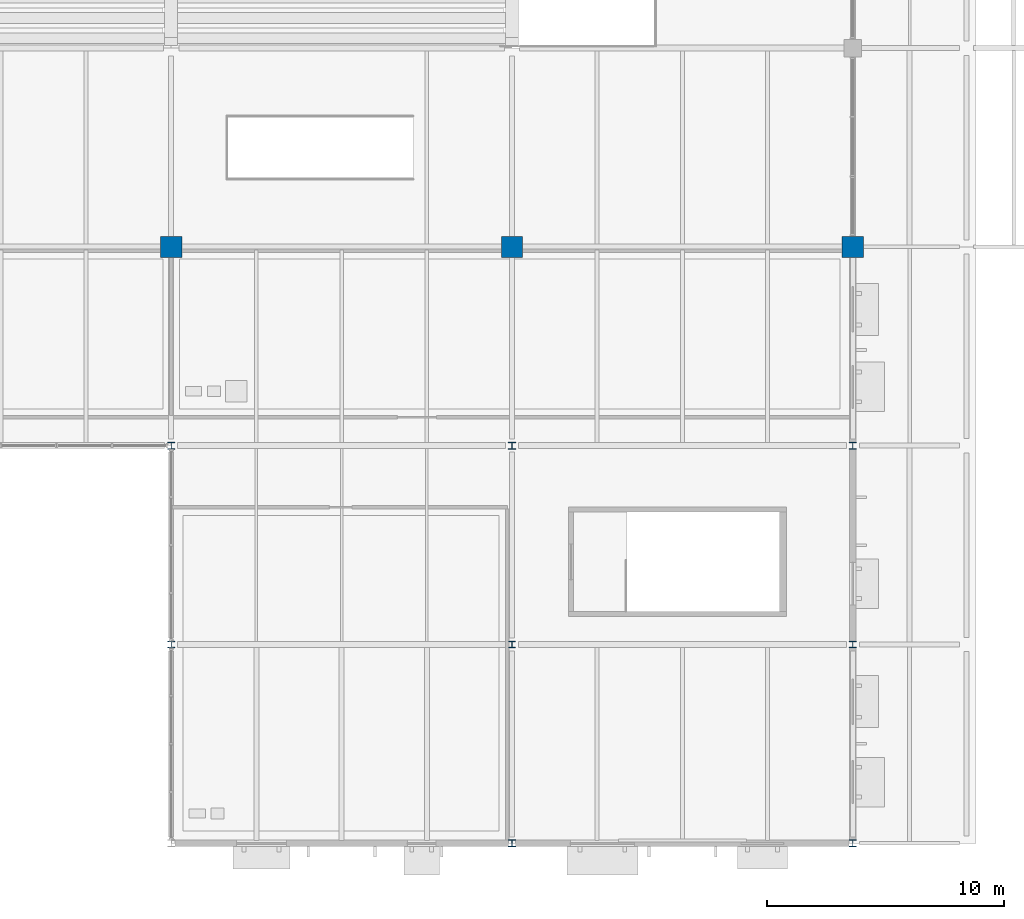
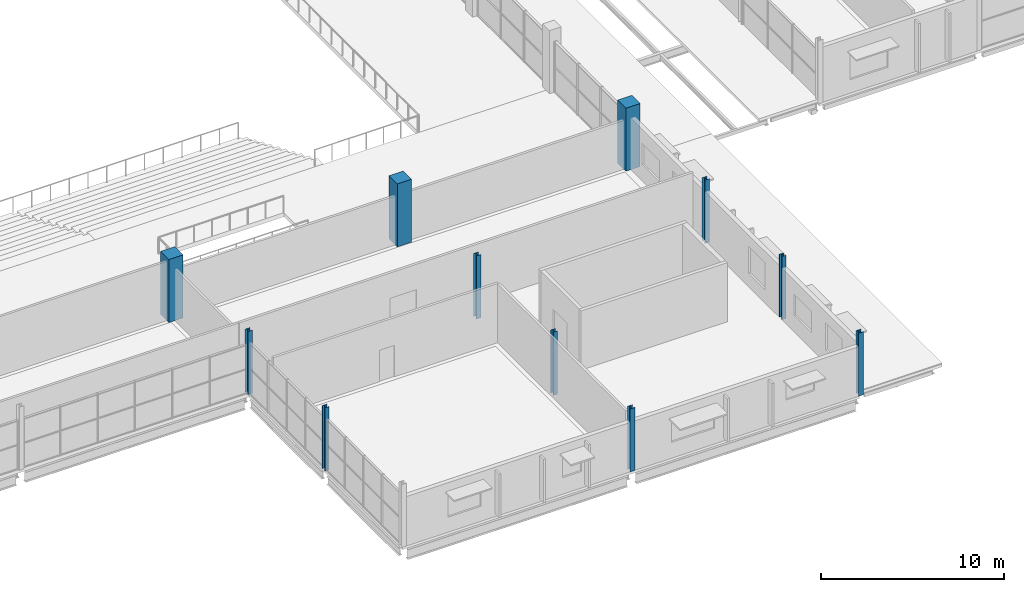
# One storey, part 4 of 161: 11 columns.
"""IFC4 building model written with IfcOpenShell, lengths in metres."""

import ifcopenshell
import ifcopenshell.guid

model = None  # the IFC model being written
_history = None  # IfcOwnerHistory: only IFC2X3 demands one
_inside = {}  # id of a spatial element -> (the spatial element, [elements in it])
_under = {}  # id of a project, library or spatial element -> (it, [spatial elements below it])
_declared = {}  # id of a project -> (the project, [libraries it declares])
_typed = {}  # id of a type object -> (the type object, [elements of that type])
_made_of = {}  # id of a material, layer set ... -> (it, [elements and type objects made of it])


def new_model(schema):
    """Start an empty IFC model of exactly this schema.

    Asked for "IFC4X3", IfcOpenShell would pick the latest addendum, in which some entities
    have other attributes; the version numbers below select the first issue.
    IFC2X3 requires an IfcOwnerHistory on every rooted entity: one is made here for all.
    """
    global model, _history
    if schema == "IFC4X3":
        model = ifcopenshell.file(schema_version=(4, 3, 0, 0))
    else:
        model = ifcopenshell.file(schema=schema)
    _inside.clear()
    _under.clear()
    _declared.clear()
    _typed.clear()
    _made_of.clear()
    _history = None
    if model.schema == "IFC2X3":
        org = make("IfcOrganization", Name="unknown")
        user = make(
            "IfcPersonAndOrganization",
            ThePerson=make("IfcPerson", FamilyName="unknown"),
            TheOrganization=org,
        )
        app = make(
            "IfcApplication",
            ApplicationDeveloper=org,
            Version="unknown",
            ApplicationFullName="unknown",
            ApplicationIdentifier="unknown",
        )
        _history = make(
            "IfcOwnerHistory",
            OwningUser=user,
            OwningApplication=app,
            ChangeAction="ADDED",
            CreationDate=0,
        )
    return model


def make(cls, **values):
    """One entity of the class cls with the attributes given. An attribute that is None is left unset."""
    return model.create_entity(
        cls, **{name: value for name, value in values.items() if value is not None}
    )


def rooted(cls, **values):
    """An entity with a GlobalId (a new one), such as an element, a storey or a relation."""
    return make(cls, GlobalId=ifcopenshell.guid.new(), OwnerHistory=_history, **values)


def si_unit(unit_type, name, prefix=None):
    """IfcSIUnit, for example si_unit("LENGTHUNIT", "METRE", prefix="MILLI")."""
    return make("IfcSIUnit", UnitType=unit_type, Prefix=prefix, Name=name)


def assignment(units):
    """IfcUnitAssignment: the units of a project."""
    return None if units is None else make("IfcUnitAssignment", Units=units)


def point(xyz):
    """IfcCartesianPoint."""
    return None if xyz is None else make("IfcCartesianPoint", Coordinates=xyz)


def direction(xyz):
    """IfcDirection."""
    return None if xyz is None else make("IfcDirection", DirectionRatios=xyz)


def frame(location, z_axis=None, x_axis=None):
    """IfcAxis2Placement3D, a coordinate frame: its origin and axes. An axis left out is left unset."""
    return make(
        "IfcAxis2Placement3D",
        Location=point(location),
        Axis=direction(z_axis),
        RefDirection=direction(x_axis),
    )


def frame_2d(location, x_axis=None):
    """IfcAxis2Placement2D, a coordinate frame in the plane: its origin and x axis."""
    return make(
        "IfcAxis2Placement2D", Location=point(location), RefDirection=direction(x_axis)
    )


def origin():
    """The frame at (0, 0, 0) with its axes left unset."""
    return frame((0.0, 0.0, 0.0))


def origin_2d():
    """The frame at (0, 0) in the plane with its x axis left unset."""
    return frame_2d((0.0, 0.0))


def place(relative_to, where):
    """IfcLocalPlacement: puts the frame where relative to a parent placement (None: the world)."""
    return make(
        "IfcLocalPlacement", PlacementRelTo=relative_to, RelativePlacement=where
    )


def context(
    kind, dimensions, precision=None, world=None, true_north=None, identifier=None
):
    """IfcGeometricRepresentationContext, for example the 3D "Model" context."""
    return make(
        "IfcGeometricRepresentationContext",
        ContextIdentifier=identifier,
        ContextType=kind,
        CoordinateSpaceDimension=dimensions,
        Precision=precision,
        WorldCoordinateSystem=world,
        TrueNorth=true_north,
    )


def subcontext(parent, identifier, kind, view, scale=None):
    """IfcGeometricRepresentationSubContext, for example "Body" below "Model"."""
    return make(
        "IfcGeometricRepresentationSubContext",
        ContextIdentifier=identifier,
        ContextType=kind,
        ParentContext=parent,
        TargetScale=scale,
        TargetView=view,
    )


def project(units=None, contexts=None):
    """IfcProject with its units and contexts."""
    return rooted(
        "IfcProject",
        Name="project",
        RepresentationContexts=contexts,
        UnitsInContext=assignment(units),
    )


def spatial(cls, under=None, at=None, **own):
    """A site, building, storey or space (cls), placed at a placement, below another one or the project."""
    s = rooted(cls, ObjectPlacement=at, **own)
    if under is not None:
        _under.setdefault(under.id(), (under, []))[1].append(s)
    return s


def profile(cls, at=None, kind="AREA", **sizes):
    """A parametric profile (cls). Its sizes go by their IFC names, for example OverallWidth=200.0."""
    return make(cls, ProfileType=kind, Position=at, **sizes)


def rectangle(**sizes):
    """IfcRectangleProfileDef."""
    return profile("IfcRectangleProfileDef", **sizes)


def i_section(**sizes):
    """IfcIShapeProfileDef."""
    return profile("IfcIShapeProfileDef", **sizes)


def extrude(swept, where, along, depth):
    """IfcExtrudedAreaSolid: the profile swept, set in the frame where, extruded along a direction by depth."""
    return make(
        "IfcExtrudedAreaSolid",
        SweptArea=swept,
        Position=where,
        ExtrudedDirection=direction(along),
        Depth=depth,
    )


def shape(context_of_items, identifier, shape_type, items):
    """IfcShapeRepresentation: the items that make up one representation, for example the "Body"."""
    return make(
        "IfcShapeRepresentation",
        ContextOfItems=context_of_items,
        RepresentationIdentifier=identifier,
        RepresentationType=shape_type,
        Items=items,
    )


def material(Name=None, Category=None):
    """IfcMaterial."""
    return make("IfcMaterial", Name=Name, Category=Category)


def material_profile(
    of_material, cross_section, Name=None, Category=None, Priority=None
):
    """IfcMaterialProfile: a cross section and its material."""
    return make(
        "IfcMaterialProfile",
        Name=Name,
        Material=of_material,
        Profile=cross_section,
        Priority=Priority,
        Category=Category,
    )


def profile_set(profiles, Name=None, composite=None):
    """IfcMaterialProfileSet."""
    return make(
        "IfcMaterialProfileSet",
        Name=Name,
        MaterialProfiles=profiles,
        CompositeProfile=composite,
    )


def made_of(thing, what):
    """Note that an element or type object is made of a material, layer set ...; save() writes the relation."""
    if what is not None:
        _made_of.setdefault(what.id(), (what, []))[1].append(thing)
    return thing


def type_object(cls, material=None, **own):
    """A type object (cls), such as IfcWallType, which elements share."""
    return made_of(rooted(cls, **own), material)


def element(
    cls,
    number,
    at=None,
    inside=None,
    cuts=None,
    type_object=None,
    material=None,
    context=None,
    identifier="Body",
    shape_type=None,
    held_by="IfcProductDefinitionShape",
    body=None,
    shapes=None,
    **own,
):
    """One element of the class cls, such as IfcWall. Its Tag is "e" and its number.

    at: its placement. inside: the storey or other place that contains it. cuts: it is an
    opening in that element (IfcRelVoidsElement). A single representation is given by context,
    identifier, shape_type and body (its items); several are given by shapes. held_by: the class
    of the entity that holds the representations. save() writes the other relations.
    """
    e = rooted(cls, Tag="e%d" % number, ObjectPlacement=at, **own)
    if body is not None:
        shapes = [shape(context, identifier, shape_type, body)]
    if shapes is not None:
        e.Representation = make(held_by, Representations=shapes)
    if inside is not None:
        _inside.setdefault(inside.id(), (inside, []))[1].append(e)
    if cuts is not None:
        rooted(
            "IfcRelVoidsElement", RelatingBuildingElement=cuts, RelatedOpeningElement=e
        )
    if type_object is not None:
        _typed.setdefault(type_object.id(), (type_object, []))[1].append(e)
    return made_of(e, material)


def aggregate(whole, parts):
    """IfcRelAggregates: a whole, such as a stair, and the parts it consists of."""
    return rooted("IfcRelAggregates", RelatingObject=whole, RelatedObjects=parts)


def save(model, path):
    """Write the relations noted so far, then the file.

    IfcRelAggregates (storeys below a building ...), IfcRelContainedInSpatialStructure (elements
    in a storey), IfcRelDefinesByType, IfcRelAssociatesMaterial and IfcRelDeclares: one each for
    every whole, place, type object, material and project.
    """
    for whole, parts in _under.values():
        aggregate(whole, parts)
    for where, things in _inside.values():
        rooted(
            "IfcRelContainedInSpatialStructure",
            RelatedElements=things,
            RelatingStructure=where,
        )
    for kind, things in _typed.values():
        rooted("IfcRelDefinesByType", RelatedObjects=things, RelatingType=kind)
    for what, things in _made_of.values():
        rooted("IfcRelAssociatesMaterial", RelatedObjects=things, RelatingMaterial=what)
    for by, libraries in _declared.values():
        rooted("IfcRelDeclares", RelatingContext=by, RelatedDefinitions=libraries)
    model.write(path)


model = new_model("IFC4")

# Units and contexts
model_context = context("Model", 3, precision=1e-05, world=origin(), true_north=direction((0.0, 1.0)))
body_context = subcontext(model_context, "Body", "Model", "MODEL_VIEW")
ifc_project = project(units=[si_unit("LENGTHUNIT", "METRE"), si_unit("AREAUNIT", "SQUARE_METRE"), si_unit("VOLUMEUNIT", "CUBIC_METRE"), si_unit("PLANEANGLEUNIT", "RADIAN"), si_unit("MASSUNIT", "GRAM", prefix="KILO"), si_unit("THERMODYNAMICTEMPERATUREUNIT", "KELVIN")], contexts=[model_context])

# Site, building, storey
site_placement = place(None, origin())
site = spatial("IfcSite", under=ifc_project, at=site_placement, CompositionType="ELEMENT")
building_placement = place(site_placement, origin())
building = spatial("IfcBuilding", under=site, at=building_placement, Name="Nduvali Passage Aquatics Centre", CompositionType="ELEMENT")
storey_placement = place(building_placement, frame((0.0, 0.0, 4.800048828125)))
storey = spatial("IfcBuildingStorey", under=building, at=storey_placement, Name="L01", CompositionType="ELEMENT", Elevation=4.800048828125)

# Columns
ifc_material_1 = material(Name="Steel S355", Category="steel")
ifc_material_profile_1 = material_profile(ifc_material_1, i_section(OverallWidth=0.280029296875, OverallDepth=0.280029296875, WebThickness=0.010498046875, FlangeThickness=0.01806640625, FilletRadius=0.02392578125, at=origin_2d()), Name="HEB 280")
ifc_profile_set_1 = profile_set([ifc_material_profile_1], Name="Steel S355")
column_type_1 = type_object("IfcColumnType", Name="STR-COL-HEB280", PredefinedType="COLUMN", material=ifc_profile_set_1)
column_1_placement = place(storey_placement, frame((111.60009765625, 8.39990234375, 0.0), z_axis=(0.0, 0.0, 1.0), x_axis=(1.0, 0.0, 0.0)))
element("IfcColumn", 1, at=column_1_placement, inside=storey, type_object=column_type_1, Name="L01 Column C9 (111.6, 8.4)", PredefinedType="COLUMN", context=body_context, shape_type="SweptSolid", body=[
    extrude(i_section(OverallWidth=0.280029296875, OverallDepth=0.280029296875, WebThickness=0.010498046875, FlangeThickness=0.01806640625, FilletRadius=0.02392578125, at=origin_2d()), origin(), (0.0, 0.0, 1.0), 4.199951171875),
])
ifc_material_profile_2 = material_profile(ifc_material_1, i_section(OverallWidth=0.280029296875, OverallDepth=0.280029296875, WebThickness=0.010498046875, FlangeThickness=0.01806640625, FilletRadius=0.02392578125, at=origin_2d()), Name="HEB 280")
ifc_profile_set_2 = profile_set([ifc_material_profile_2], Name="Steel S355")
column_type_2 = type_object("IfcColumnType", Name="STR-COL-HEB280-EXT", PredefinedType="COLUMN", material=ifc_profile_set_2)
for number, where, z_axis, x_axis, name in (
    (2, (97.199951171875, 8.39990234375, 0.0), (0.0, 0.0, 1.0), (1.0, 0.0, 0.0), "L01 Column C9E (97.2, 8.4)"),
    (3, (126.0, 8.39990234375, 0.0), (0.0, 0.0, 1.0), (1.0, 0.0, 0.0), "L01 Column C9E (126.0, 8.4)"),
):
    element("IfcColumn", number, at=place(storey_placement, frame(where, z_axis=z_axis, x_axis=x_axis)), inside=storey, type_object=column_type_2, Name=name, PredefinedType="COLUMN", context=body_context, shape_type="SweptSolid", body=[
        extrude(i_section(OverallWidth=0.280029296875, OverallDepth=0.280029296875, WebThickness=0.010498046875, FlangeThickness=0.01806640625, FilletRadius=0.02392578125, at=origin_2d()), origin(), (0.0, 0.0, 1.0), 4.199951171875),
    ])
ifc_material_profile_3 = material_profile(ifc_material_1, i_section(OverallWidth=0.300048828125, OverallDepth=0.300048828125, WebThickness=0.010986328125, FlangeThickness=0.01904296875, FilletRadius=0.027099609375, at=origin_2d()), Name="HEB 300")
ifc_profile_set_3 = profile_set([ifc_material_profile_3], Name="Steel S355")
column_type_3 = type_object("IfcColumnType", Name="STR-COL-HEB300", PredefinedType="COLUMN", material=ifc_profile_set_3)
column_2_placement = place(storey_placement, frame((111.60009765625, 16.800048828125, 0.0), z_axis=(0.0, 0.0, 1.0), x_axis=(1.0, 0.0, 0.0)))
element("IfcColumn", 4, at=column_2_placement, inside=storey, type_object=column_type_3, Name="L01 Column C8 (111.6, 16.8)", PredefinedType="COLUMN", context=body_context, shape_type="SweptSolid", body=[
    extrude(i_section(OverallWidth=0.300048828125, OverallDepth=0.300048828125, WebThickness=0.010986328125, FlangeThickness=0.01904296875, FilletRadius=0.027099609375, at=origin_2d()), origin(), (0.0, 0.0, 1.0), 4.199951171875),
])
ifc_material_profile_4 = material_profile(ifc_material_1, i_section(OverallWidth=0.300048828125, OverallDepth=0.300048828125, WebThickness=0.010986328125, FlangeThickness=0.01904296875, FilletRadius=0.027099609375, at=origin_2d()), Name="HEB 300")
ifc_profile_set_4 = profile_set([ifc_material_profile_4], Name="Steel S355")
column_type_4 = type_object("IfcColumnType", Name="STR-COL-HEB300-EXT", PredefinedType="COLUMN", material=ifc_profile_set_4)
for number, where, z_axis, x_axis, name in (
    (5, (97.199951171875, 16.800048828125, 0.0), (0.0, 0.0, 1.0), (1.0, 0.0, 0.0), "L01 Column C8E (97.2, 16.8)"),
    (6, (111.60009765625, 0.0, 0.0), (0.0, 0.0, 1.0), (1.0, 0.0, 0.0), "L01 Column C8E (111.6, 0.0)"),
    (7, (126.0, 0.0, 0.0), (0.0, 0.0, 1.0), (1.0, 0.0, 0.0), "L01 Column C8E (126.0, 0.0)"),
    (8, (126.0, 16.800048828125, 0.0), (0.0, 0.0, 1.0), (1.0, 0.0, 0.0), "L01 Column C8E (126.0, 16.8)"),
):
    element("IfcColumn", number, at=place(storey_placement, frame(where, z_axis=z_axis, x_axis=x_axis)), inside=storey, type_object=column_type_4, Name=name, PredefinedType="COLUMN", context=body_context, shape_type="SweptSolid", body=[
        extrude(i_section(OverallWidth=0.300048828125, OverallDepth=0.300048828125, WebThickness=0.010986328125, FlangeThickness=0.01904296875, FilletRadius=0.027099609375, at=origin_2d()), origin(), (0.0, 0.0, 1.0), 4.199951171875),
    ])
ifc_material_2 = material(Name="Concrete C40/50", Category="concrete")
ifc_material_profile_5 = material_profile(ifc_material_2, rectangle(XDim=0.89990234375, YDim=0.89990234375, at=origin_2d()), Name="RC 900x900")
ifc_profile_set_5 = profile_set([ifc_material_profile_5], Name="Concrete C40/50")
column_type_5 = type_object("IfcColumnType", Name="STR-COL-RC900-EXT", PredefinedType="COLUMN", material=ifc_profile_set_5)
for number, where, z_axis, x_axis, name in (
    (9, (97.199951171875, 25.199951171875, 0.0), (0.0, 0.0, 1.0), (1.0, 0.0, 0.0), "L01 Column C1E (97.2, 25.2)"),
    (10, (111.60009765625, 25.199951171875, 0.0), (0.0, 0.0, 1.0), (1.0, 0.0, 0.0), "L01 Column C1E (111.6, 25.2)"),
    (11, (126.0, 25.199951171875, 0.0), (0.0, 0.0, 1.0), (1.0, 0.0, 0.0), "L01 Column C1E (126.0, 25.2)"),
):
    element("IfcColumn", number, at=place(storey_placement, frame(where, z_axis=z_axis, x_axis=x_axis)), inside=storey, type_object=column_type_5, Name=name, PredefinedType="COLUMN", context=body_context, shape_type="SweptSolid", body=[
        extrude(rectangle(XDim=0.89990234375, YDim=0.89990234375, at=origin_2d()), origin(), (0.0, 0.0, 1.0), 4.199951171875),
    ])

save(model, "model.ifc")
